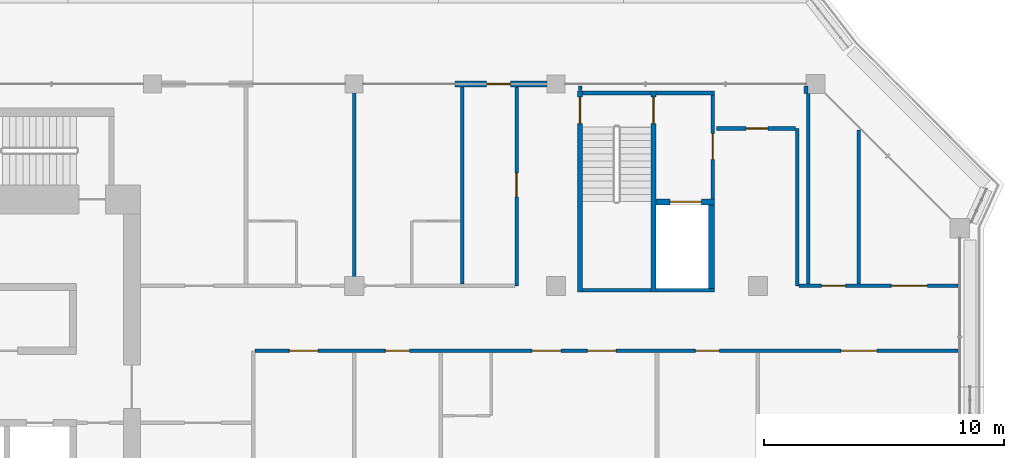
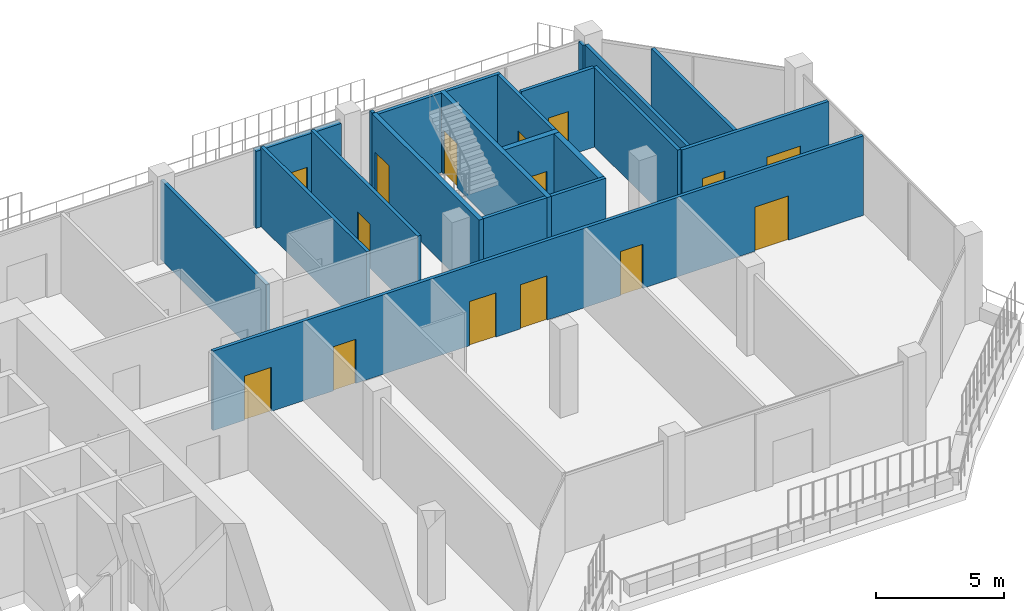
# One storey, part 12 of 20: 21 walls, 15 doors, 15 openings.
"""IFC4 building model written with IfcOpenShell, lengths in metres."""

from ifc_helpers import new_model, si_unit, direction, frame, frame_2d, origin, place, context, subcontext, project, spatial, rectangle, extrude, material, layer, layer_set, type_object, element, fill, save


model = new_model("IFC4")

# Units and contexts
model_context = context("Model", 3, precision=1e-05, world=origin(), true_north=direction((0.0, 1.0)))
body_context = subcontext(model_context, "Body", "Model", "MODEL_VIEW")
ifc_project = project(units=[si_unit("LENGTHUNIT", "METRE"), si_unit("AREAUNIT", "SQUARE_METRE"), si_unit("VOLUMEUNIT", "CUBIC_METRE"), si_unit("PLANEANGLEUNIT", "RADIAN"), si_unit("MASSUNIT", "GRAM", prefix="KILO")], contexts=[model_context])

# Site, building, storey
site_placement = place(None, origin())
site = spatial("IfcSite", under=ifc_project, at=site_placement, CompositionType="ELEMENT")
building_placement = place(site_placement, origin())
building = spatial("IfcBuilding", under=site, at=building_placement, Name="Kawkab Arch Medical Tower", CompositionType="ELEMENT")
storey_placement = place(building_placement, frame((0.0, 0.0, 328.0)))
storey = spatial("IfcBuildingStorey", under=building, at=storey_placement, Name="L76", CompositionType="ELEMENT", Elevation=328.0)

# Wall, opening, door
ifc_material_1 = material(Name="Gypsum board on steel studs", Category="steel")
ifc_layer_1 = layer(ifc_material_1, 0.14990234375)
ifc_layer_set_1 = layer_set([ifc_layer_1], Name="Gypsum board on steel studs")
wall_type_1 = type_object("IfcWallType", Name="Core room partition 150", PredefinedType="PARTITIONING", material=ifc_layer_set_1)
wall_1_placement = place(storey_placement, frame((48.52490234375, -4.77490234375, 0.0), z_axis=(0.0, 0.0, 1.0), x_axis=(0.0, 1.0, 0.0)))
wall_1 = element("IfcWall", 1, at=wall_1_placement, inside=storey, type_object=wall_type_1, Name="L76 core room partition", PredefinedType="PARTITIONING", context=body_context, shape_type="SweptSolid", body=[
    extrude(rectangle(XDim=4.324951171875, YDim=0.14990234375, at=frame_2d((2.16259765625, 0.0))), origin(), (0.0, 0.0, 1.0), 3.780029296875),
])
opening_1_placement = place(wall_1_placement, frame((1.625, 0.0, 0.0)))
opening_1 = element("IfcOpeningElement", 2, at=opening_1_placement, cuts=wall_1, Name="Opening FD", PredefinedType="OPENING", context=body_context, shape_type="SweptSolid", body=[
    extrude(rectangle(XDim=1.10009765625, YDim=2.10009765625, at=frame_2d((0.550048828125, 1.050048828125))), frame((0.0, 0.0849609375, 0.0), z_axis=(0.0, -1.0, 0.0), x_axis=(1.0, 0.0, 0.0)), (0.0, 0.0, 1.0), 0.169921875),
])
ifc_material_2 = material(Name="Hollow metal fire door leaf")
door_type_1 = type_object("IfcDoorType", Name="Firefighting lobby door 1100", OperationType="SINGLE_SWING_LEFT", PredefinedType="DOOR", material=ifc_material_2)
door_1_placement = place(opening_1_placement, origin())
door_1 = element("IfcDoor", 3, at=door_1_placement, inside=storey, type_object=door_type_1, Name="L76 Service lift lobby door SV1", OperationType="SINGLE_SWING_LEFT", OverallHeight=2.10009765625, OverallWidth=1.10009765625, PredefinedType="DOOR", context=body_context, shape_type="SweptSolid", body=[
    extrude(rectangle(XDim=1.10009765625, YDim=2.10009765625, at=frame_2d((0.550048828125, 1.050048828125))), frame((0.0, 0.02490234375, 0.0), z_axis=(0.0, -1.0, 0.0), x_axis=(1.0, 0.0, 0.0)), (0.0, 0.0, 1.0), 0.050048828125),
])
fill(opening_1, door_1)

ifc_material_3 = material(Name="Concrete C60/75", Category="concrete")
ifc_layer_2 = layer(ifc_material_3, 0.25)
ifc_layer_set_2 = layer_set([ifc_layer_2], Name="Concrete C60/75")
wall_type_2 = type_object("IfcWallType", Name="Core shear wall 250 C60/75", PredefinedType="SHEAR", material=ifc_layer_set_2)
wall_2_placement = place(storey_placement, frame((46.14990234375, -4.89990234375, 0.0), z_axis=(0.0, 0.0, 1.0), x_axis=(1.0, 0.0, 0.0)))
wall_2 = element("IfcWall", 4, at=wall_2_placement, inside=storey, type_object=wall_type_2, Name="L76 core shear wall", PredefinedType="SHEAR", context=body_context, shape_type="SweptSolid", body=[
    extrude(rectangle(XDim=2.4501953125, YDim=0.25, at=frame_2d((1.22509765625, 0.0))), origin(), (0.0, 0.0, 1.0), 3.780029296875),
])
opening_2_placement = place(wall_2_placement, frame((0.60009765625, 0.0, 0.0)))
opening_2 = element("IfcOpeningElement", 5, at=opening_2_placement, cuts=wall_2, Name="Opening LD2", PredefinedType="OPENING", context=body_context, shape_type="SweptSolid", body=[
    extrude(rectangle(XDim=1.300048828125, YDim=2.10009765625, at=frame_2d((0.64990234375, 1.050048828125))), frame((0.0, 0.135009765625, 0.0), z_axis=(0.0, -1.0, 0.0), x_axis=(1.0, 0.0, 0.0)), (0.0, 0.0, 1.0), 0.27001953125),
])
ifc_material_4 = material(Name="Stainless steel lift door leaf", Category="steel")
door_type_2 = type_object("IfcDoorType", Name="Lift landing door 1300", OperationType="DOUBLE_DOOR_SLIDING", PredefinedType="DOOR", material=ifc_material_4)
door_2_placement = place(opening_2_placement, origin())
door_2 = element("IfcDoor", 6, at=door_2_placement, inside=storey, type_object=door_type_2, Name="L76 Lift landing door SV1", OperationType="DOUBLE_DOOR_SLIDING", OverallHeight=2.10009765625, OverallWidth=1.300048828125, PredefinedType="DOOR", context=body_context, shape_type="SweptSolid", body=[
    extrude(rectangle(XDim=1.300048828125, YDim=2.10009765625, at=frame_2d((0.64990234375, 1.050048828125))), frame((0.0, 0.02490234375, 0.0), z_axis=(0.0, -1.0, 0.0), x_axis=(1.0, 0.0, 0.0)), (0.0, 0.0, 1.0), 0.050048828125),
])
fill(opening_2, door_2)

# Wall
wall_3_placement = place(storey_placement, frame((48.47509765625, -8.5, 0.0), z_axis=(0.0, 0.0, 1.0), x_axis=(0.0, 1.0, 0.0)))
element("IfcWall", 7, at=wall_3_placement, inside=storey, type_object=wall_type_2, Name="L76 core shear wall", PredefinedType="SHEAR", context=body_context, shape_type="SweptSolid", body=[
    extrude(rectangle(XDim=3.47509765625, YDim=0.25, at=frame_2d((1.737548828125, 0.0))), origin(), (0.0, 0.0, 1.0), 3.780029296875),
])

# Wall, opening, door
ifc_material_5 = material(Name="Bronze clad insulated wall panel")
ifc_layer_3 = layer(ifc_material_5, 0.25)
ifc_layer_set_3 = layer_set([ifc_layer_3], Name="Bronze clad insulated wall panel")
wall_type_3 = type_object("IfcWallType", Name="External wall bay 250", PredefinedType="SOLIDWALL", material=ifc_layer_set_3)
wall_4_placement = place(storey_placement, frame((41.625, 0.0, 0.0), z_axis=(0.0, 0.0, 1.0), x_axis=(-1.0, 0.0, 0.0)))
wall_4 = element("IfcWall", 8, at=wall_4_placement, inside=storey, type_object=wall_type_3, Name="External wall bay L76.R15.2.1", PredefinedType="SOLIDWALL", context=body_context, shape_type="SweptSolid", body=[
    extrude(rectangle(XDim=3.824951171875, YDim=0.25, at=frame_2d((1.91259765625, 0.0))), origin(), (0.0, 0.0, 1.0), 3.659912109375),
])
opening_3_placement = place(wall_4_placement, frame((1.512451171875, 0.0, 0.0)))
opening_3 = element("IfcOpeningElement", 9, at=opening_3_placement, cuts=wall_4, Name="Opening W71-702", PredefinedType="OPENING", context=body_context, shape_type="SweptSolid", body=[
    extrude(rectangle(XDim=1.0, YDim=2.10009765625, at=frame_2d((0.5, 1.050048828125))), frame((0.0, 0.135009765625, 0.0), z_axis=(0.0, -1.0, 0.0), x_axis=(1.0, 0.0, 0.0)), (0.0, 0.0, 1.0), 0.27001953125),
])
ifc_material_6 = material(Name="Bronze anodised aluminium door with tinted glass", Category="aluminium")
door_type_3 = type_object("IfcDoorType", Name="Single external door 1000 x 2100", OperationType="SINGLE_SWING_LEFT", PredefinedType="DOOR", material=ifc_material_6)
door_3_placement = place(opening_3_placement, origin())
door_3 = element("IfcDoor", 10, at=door_3_placement, inside=storey, type_object=door_type_3, Name="External door L76.R15.2.1", OperationType="SINGLE_SWING_LEFT", OverallHeight=2.10009765625, OverallWidth=1.0, PredefinedType="DOOR", context=body_context, shape_type="SweptSolid", body=[
    extrude(rectangle(XDim=1.0, YDim=2.10009765625, at=frame_2d((0.5, 1.050048828125))), frame((0.0, 0.02490234375, 0.0), z_axis=(0.0, -1.0, 0.0), x_axis=(1.0, 0.0, 0.0)), (0.0, 0.0, 1.0), 0.050048828125),
])
fill(opening_3, door_3)

# Wall, openings, doors
ifc_material_7 = material(Name="Gypsum board partition on steel studs, mineral wool", Category="steel")
ifc_layer_4 = layer(ifc_material_7, 0.14990234375)
ifc_layer_set_4 = layer_set([ifc_layer_4], Name="Gypsum board partition on steel studs, mineral wool")
wall_type_4 = type_object("IfcWallType", Name="Partition 150", PredefinedType="PARTITIONING", material=ifc_layer_set_4)
wall_5_placement = place(storey_placement, frame((29.47509765625, -11.10009765625, 0.0), z_axis=(0.0, 0.0, 1.0), x_axis=(1.0, 0.0, 0.0)))
wall_5 = element("IfcWall", 11, at=wall_5_placement, inside=storey, type_object=wall_type_4, Name="Partition 150 w014", PredefinedType="PARTITIONING", context=body_context, shape_type="SweptSolid", body=[
    extrude(rectangle(XDim=29.244873046875, YDim=0.14990234375, at=frame_2d((14.62255859375, 0.0))), origin(), (0.0, 0.0, 1.0), 3.780029296875),
])
opening_4_placement = place(wall_5_placement, frame((1.425048828125, 0.0, 0.0)))
opening_4 = element("IfcOpeningElement", 12, at=opening_4_placement, cuts=wall_5, Name="Opening W71-018", PredefinedType="OPENING", context=body_context, shape_type="SweptSolid", body=[
    extrude(rectangle(XDim=1.199951171875, YDim=2.10009765625, at=frame_2d((0.60009765625, 1.050048828125))), frame((0.0, 0.0849609375, 0.0), z_axis=(0.0, -1.0, 0.0), x_axis=(1.0, 0.0, 0.0)), (0.0, 0.0, 1.0), 0.169921875),
])
opening_5_placement = place(wall_5_placement, frame((5.425048828125, 0.0, 0.0)))
opening_5 = element("IfcOpeningElement", 13, at=opening_5_placement, cuts=wall_5, Name="Opening W71-010", PredefinedType="OPENING", context=body_context, shape_type="SweptSolid", body=[
    extrude(rectangle(XDim=1.0, YDim=2.10009765625, at=frame_2d((0.5, 1.050048828125))), frame((0.0, 0.0849609375, 0.0), z_axis=(0.0, -1.0, 0.0), x_axis=(1.0, 0.0, 0.0)), (0.0, 0.0, 1.0), 0.169921875),
])
opening_6_placement = place(wall_5_placement, frame((13.824951171875, 0.0, 0.0)))
opening_6 = element("IfcOpeningElement", 14, at=opening_6_placement, cuts=wall_5, Name="Opening W71-019", PredefinedType="OPENING", context=body_context, shape_type="SweptSolid", body=[
    extrude(rectangle(XDim=1.199951171875, YDim=2.10009765625, at=frame_2d((0.60009765625, 1.050048828125))), frame((0.0, 0.0849609375, 0.0), z_axis=(0.0, -1.0, 0.0), x_axis=(1.0, 0.0, 0.0)), (0.0, 0.0, 1.0), 0.169921875),
])
opening_7_placement = place(wall_5_placement, frame((11.52490234375, 0.0, 0.0)))
opening_7 = element("IfcOpeningElement", 15, at=opening_7_placement, cuts=wall_5, Name="Opening W71-020", PredefinedType="OPENING", context=body_context, shape_type="SweptSolid", body=[
    extrude(rectangle(XDim=1.199951171875, YDim=2.10009765625, at=frame_2d((0.60009765625, 1.050048828125))), frame((0.0, 0.0849609375, 0.0), z_axis=(0.0, -1.0, 0.0), x_axis=(1.0, 0.0, 0.0)), (0.0, 0.0, 1.0), 0.169921875),
])
opening_8_placement = place(wall_5_placement, frame((18.324951171875, 0.0, 0.0)))
opening_8 = element("IfcOpeningElement", 16, at=opening_8_placement, cuts=wall_5, Name="Opening W71-011", PredefinedType="OPENING", context=body_context, shape_type="SweptSolid", body=[
    extrude(rectangle(XDim=1.0, YDim=2.10009765625, at=frame_2d((0.5, 1.050048828125))), frame((0.0, 0.0849609375, 0.0), z_axis=(0.0, -1.0, 0.0), x_axis=(1.0, 0.0, 0.0)), (0.0, 0.0, 1.0), 0.169921875),
])
opening_9_placement = place(wall_5_placement, frame((24.375, 0.0, 0.0)))
opening_9 = element("IfcOpeningElement", 17, at=opening_9_placement, cuts=wall_5, Name="Opening W71-002", PredefinedType="OPENING", context=body_context, shape_type="SweptSolid", body=[
    extrude(rectangle(XDim=1.5, YDim=2.10009765625, at=frame_2d((0.75, 1.050048828125))), frame((0.0, 0.0849609375, 0.0), z_axis=(0.0, -1.0, 0.0), x_axis=(1.0, 0.0, 0.0)), (0.0, 0.0, 1.0), 0.169921875),
])
ifc_material_8 = material(Name="Hollow metal door leaf")
door_type_4 = type_object("IfcDoorType", Name="Double door 1500x2100 FD30S", OperationType="NOTDEFINED", PredefinedType="DOOR", material=ifc_material_8)
door_4_placement = place(opening_9_placement, origin())
door_4 = element("IfcDoor", 18, at=door_4_placement, inside=storey, type_object=door_type_4, Name="Door W71-002", OperationType="DOUBLE_DOOR_SINGLE_SWING", OverallHeight=2.10009765625, OverallWidth=1.5, PredefinedType="DOOR", context=body_context, shape_type="SweptSolid", body=[
    extrude(rectangle(XDim=1.5, YDim=2.10009765625, at=frame_2d((0.75, 1.050048828125))), frame((0.0, 0.02490234375, 0.0), z_axis=(0.0, -1.0, 0.0), x_axis=(1.0, 0.0, 0.0)), (0.0, 0.0, 1.0), 0.050048828125),
])
fill(opening_9, door_4)
ifc_material_9 = material(Name="Hollow metal door leaf")
door_type_5 = type_object("IfcDoorType", Name="Single door 1000x2100 FD30S", OperationType="NOTDEFINED", PredefinedType="DOOR", material=ifc_material_9)
door_5_placement = place(opening_5_placement, origin())
door_5 = element("IfcDoor", 19, at=door_5_placement, inside=storey, type_object=door_type_5, Name="Door W71-010", OperationType="SINGLE_SWING_RIGHT", OverallHeight=2.10009765625, OverallWidth=1.0, PredefinedType="DOOR", context=body_context, shape_type="SweptSolid", body=[
    extrude(rectangle(XDim=1.0, YDim=2.10009765625, at=frame_2d((0.5, 1.050048828125))), frame((0.0, 0.02490234375, 0.0), z_axis=(0.0, -1.0, 0.0), x_axis=(1.0, 0.0, 0.0)), (0.0, 0.0, 1.0), 0.050048828125),
])
fill(opening_5, door_5)
door_6_placement = place(opening_8_placement, origin())
door_6 = element("IfcDoor", 20, at=door_6_placement, inside=storey, type_object=door_type_5, Name="Door W71-011", OperationType="SINGLE_SWING_LEFT", OverallHeight=2.10009765625, OverallWidth=1.0, PredefinedType="DOOR", context=body_context, shape_type="SweptSolid", body=[
    extrude(rectangle(XDim=1.0, YDim=2.10009765625, at=frame_2d((0.5, 1.050048828125))), frame((0.0, 0.02490234375, 0.0), z_axis=(0.0, -1.0, 0.0), x_axis=(1.0, 0.0, 0.0)), (0.0, 0.0, 1.0), 0.050048828125),
])
fill(opening_8, door_6)
ifc_material_10 = material(Name="Hollow metal door leaf")
door_type_6 = type_object("IfcDoorType", Name="Single door 1200x2100 FD30S", OperationType="NOTDEFINED", PredefinedType="DOOR", material=ifc_material_10)
door_7_placement = place(opening_4_placement, origin())
door_7 = element("IfcDoor", 21, at=door_7_placement, inside=storey, type_object=door_type_6, Name="Door W71-018", OperationType="SINGLE_SWING_RIGHT", OverallHeight=2.10009765625, OverallWidth=1.199951171875, PredefinedType="DOOR", context=body_context, shape_type="SweptSolid", body=[
    extrude(rectangle(XDim=1.199951171875, YDim=2.10009765625, at=frame_2d((0.60009765625, 1.050048828125))), frame((0.0, 0.02490234375, 0.0), z_axis=(0.0, -1.0, 0.0), x_axis=(1.0, 0.0, 0.0)), (0.0, 0.0, 1.0), 0.050048828125),
])
fill(opening_4, door_7)
door_8_placement = place(opening_6_placement, origin())
door_8 = element("IfcDoor", 22, at=door_8_placement, inside=storey, type_object=door_type_6, Name="Door W71-019", OperationType="SINGLE_SWING_RIGHT", OverallHeight=2.10009765625, OverallWidth=1.199951171875, PredefinedType="DOOR", context=body_context, shape_type="SweptSolid", body=[
    extrude(rectangle(XDim=1.199951171875, YDim=2.10009765625, at=frame_2d((0.60009765625, 1.050048828125))), frame((0.0, 0.02490234375, 0.0), z_axis=(0.0, -1.0, 0.0), x_axis=(1.0, 0.0, 0.0)), (0.0, 0.0, 1.0), 0.050048828125),
])
fill(opening_6, door_8)
door_9_placement = place(opening_7_placement, origin())
door_9 = element("IfcDoor", 23, at=door_9_placement, inside=storey, type_object=door_type_6, Name="Door W71-020", OperationType="SINGLE_SWING_RIGHT", OverallHeight=2.10009765625, OverallWidth=1.199951171875, PredefinedType="DOOR", context=body_context, shape_type="SweptSolid", body=[
    extrude(rectangle(XDim=1.199951171875, YDim=2.10009765625, at=frame_2d((0.60009765625, 1.050048828125))), frame((0.0, 0.02490234375, 0.0), z_axis=(0.0, -1.0, 0.0), x_axis=(1.0, 0.0, 0.0)), (0.0, 0.0, 1.0), 0.050048828125),
])
fill(opening_7, door_9)

wall_6_placement = place(storey_placement, frame((52.117919921875, -8.39990234375, 0.0), z_axis=(0.0, 0.0, 1.0), x_axis=(1.0, 0.0, 0.0)))
wall_6 = element("IfcWall", 24, at=wall_6_placement, inside=storey, type_object=wall_type_4, Name="Partition 150 w017", PredefinedType="PARTITIONING", context=body_context, shape_type="SweptSolid", body=[
    extrude(rectangle(XDim=6.60205078125, YDim=0.14990234375, at=frame_2d((3.301025390625, 0.0))), origin(), (0.0, 0.0, 1.0), 3.780029296875),
])
opening_10_placement = place(wall_6_placement, frame((0.931884765625, 0.0, 0.0)))
opening_10 = element("IfcOpeningElement", 25, at=opening_10_placement, cuts=wall_6, Name="Opening W71-008", PredefinedType="OPENING", context=body_context, shape_type="SweptSolid", body=[
    extrude(rectangle(XDim=1.0, YDim=2.10009765625, at=frame_2d((0.5, 1.050048828125))), frame((0.0, 0.0849609375, 0.0), z_axis=(0.0, -1.0, 0.0), x_axis=(1.0, 0.0, 0.0)), (0.0, 0.0, 1.0), 0.169921875),
])
opening_11_placement = place(wall_6_placement, frame((3.83203125, 0.0, 0.0)))
opening_11 = element("IfcOpeningElement", 26, at=opening_11_placement, cuts=wall_6, Name="Opening W71-003", PredefinedType="OPENING", context=body_context, shape_type="SweptSolid", body=[
    extrude(rectangle(XDim=1.5, YDim=2.10009765625, at=frame_2d((0.75, 1.050048828125))), frame((0.0, 0.0849609375, 0.0), z_axis=(0.0, -1.0, 0.0), x_axis=(1.0, 0.0, 0.0)), (0.0, 0.0, 1.0), 0.169921875),
])
door_10_placement = place(opening_11_placement, origin())
door_10 = element("IfcDoor", 27, at=door_10_placement, inside=storey, type_object=door_type_4, Name="Door W71-003", OperationType="DOUBLE_DOOR_SINGLE_SWING", OverallHeight=2.10009765625, OverallWidth=1.5, PredefinedType="DOOR", context=body_context, shape_type="SweptSolid", body=[
    extrude(rectangle(XDim=1.5, YDim=2.10009765625, at=frame_2d((0.75, 1.050048828125))), frame((0.0, 0.02490234375, 0.0), z_axis=(0.0, -1.0, 0.0), x_axis=(1.0, 0.0, 0.0)), (0.0, 0.0, 1.0), 0.050048828125),
])
fill(opening_11, door_10)
ifc_material_11 = material(Name="Timber door leaf", Category="wood")
door_type_7 = type_object("IfcDoorType", Name="Single door 1000x2100", OperationType="NOTDEFINED", PredefinedType="DOOR", material=ifc_material_11)
door_11_placement = place(opening_10_placement, origin())
door_11 = element("IfcDoor", 28, at=door_11_placement, inside=storey, type_object=door_type_7, Name="Door W71-008", OperationType="SINGLE_SWING_LEFT", OverallHeight=2.10009765625, OverallWidth=1.0, PredefinedType="DOOR", context=body_context, shape_type="SweptSolid", body=[
    extrude(rectangle(XDim=1.0, YDim=2.10009765625, at=frame_2d((0.5, 1.050048828125))), frame((0.0, 0.02490234375, 0.0), z_axis=(0.0, -1.0, 0.0), x_axis=(1.0, 0.0, 0.0)), (0.0, 0.0, 1.0), 0.050048828125),
])
fill(opening_10, door_11)

# Wall, opening, door
wall_7_placement = place(storey_placement, frame((48.679931640625, -1.85009765625, 0.0), z_axis=(0.0, 0.0, 1.0), x_axis=(1.0, 0.0, 0.0)))
wall_7 = element("IfcWall", 29, at=wall_7_placement, inside=storey, type_object=wall_type_4, Name="Partition 150 w018", PredefinedType="PARTITIONING", context=body_context, shape_type="SweptSolid", body=[
    extrude(rectangle(XDim=3.2861328125, YDim=0.14990234375, at=frame_2d((1.64306640625, 0.0))), origin(), (0.0, 0.0, 1.0), 3.780029296875),
])
opening_12_placement = place(wall_7_placement, frame((1.22998046875, 0.0, 0.0)))
opening_12 = element("IfcOpeningElement", 30, at=opening_12_placement, cuts=wall_7, Name="Opening W71-007", PredefinedType="OPENING", context=body_context, shape_type="SweptSolid", body=[
    extrude(rectangle(XDim=0.89990234375, YDim=2.10009765625, at=frame_2d((0.449951171875, 1.050048828125))), frame((0.0, 0.0849609375, 0.0), z_axis=(0.0, -1.0, 0.0), x_axis=(1.0, 0.0, 0.0)), (0.0, 0.0, 1.0), 0.169921875),
])
ifc_material_12 = material(Name="Timber door leaf", Category="wood")
door_type_8 = type_object("IfcDoorType", Name="Single door 900x2100", OperationType="NOTDEFINED", PredefinedType="DOOR", material=ifc_material_12)
door_12_placement = place(opening_12_placement, origin())
door_12 = element("IfcDoor", 31, at=door_12_placement, inside=storey, type_object=door_type_8, Name="Door W71-007", OperationType="SINGLE_SWING_LEFT", OverallHeight=2.10009765625, OverallWidth=0.89990234375, PredefinedType="DOOR", context=body_context, shape_type="SweptSolid", body=[
    extrude(rectangle(XDim=0.89990234375, YDim=2.10009765625, at=frame_2d((0.449951171875, 1.050048828125))), frame((0.0, 0.02490234375, 0.0), z_axis=(0.0, -1.0, 0.0), x_axis=(1.0, 0.0, 0.0)), (0.0, 0.0, 1.0), 0.050048828125),
])
fill(opening_12, door_12)

# Walls
for number, where, z_axis, x_axis, name in (
    (32, (33.60009765625, -8.324951171875, 0.0), (0.0, 0.0, 1.0), (0.0, 1.0, 0.0), "Partition 150 w026"),
    (33, (38.10009765625, -8.324951171875, 0.0), (0.0, 0.0, 1.0), (0.0, 1.0, 0.0), "Partition 150 w028"),
):
    element("IfcWall", number, at=place(storey_placement, frame(where, z_axis=z_axis, x_axis=x_axis)), inside=storey, type_object=wall_type_4, Name=name, PredefinedType="PARTITIONING", context=body_context, shape_type="SweptSolid", body=[
        extrude(rectangle(XDim=8.244873046875, YDim=0.14990234375, at=frame_2d((4.12255859375, 0.0))), origin(), (0.0, 0.0, 1.0), 3.780029296875),
    ])

# Wall, opening, door
wall_8_placement = place(storey_placement, frame((40.35693359375, -8.39990234375, 0.0), z_axis=(0.0, 0.0, 1.0), x_axis=(0.0, 1.0, 0.0)))
wall_8 = element("IfcWall", 34, at=wall_8_placement, inside=storey, type_object=wall_type_4, Name="Partition 150 w029", PredefinedType="PARTITIONING", context=body_context, shape_type="SweptSolid", body=[
    extrude(rectangle(XDim=8.31982421875, YDim=0.14990234375, at=frame_2d((4.159912109375, 0.0))), origin(), (0.0, 0.0, 1.0), 3.780029296875),
])
opening_13_placement = place(wall_8_placement, frame((3.699951171875, 0.0, 0.0)))
opening_13 = element("IfcOpeningElement", 35, at=opening_13_placement, cuts=wall_8, Name="Opening W71-009", PredefinedType="OPENING", context=body_context, shape_type="SweptSolid", body=[
    extrude(rectangle(XDim=1.0, YDim=2.10009765625, at=frame_2d((0.5, 1.050048828125))), frame((0.0, 0.0849609375, 0.0), z_axis=(0.0, -1.0, 0.0), x_axis=(1.0, 0.0, 0.0)), (0.0, 0.0, 1.0), 0.169921875),
])
door_13_placement = place(opening_13_placement, origin())
door_13 = element("IfcDoor", 36, at=door_13_placement, inside=storey, type_object=door_type_5, Name="Door W71-009", OperationType="SINGLE_SWING_RIGHT", OverallHeight=2.10009765625, OverallWidth=1.0, PredefinedType="DOOR", context=body_context, shape_type="SweptSolid", body=[
    extrude(rectangle(XDim=1.0, YDim=2.10009765625, at=frame_2d((0.5, 1.050048828125))), frame((0.0, 0.02490234375, 0.0), z_axis=(0.0, -1.0, 0.0), x_axis=(1.0, 0.0, 0.0)), (0.0, 0.0, 1.0), 0.050048828125),
])
fill(opening_13, door_13)

# Walls
wall_9_placement = place(storey_placement, frame((43.0, -0.27001953125, 0.0), z_axis=(0.0, 0.0, 1.0), x_axis=(0.0, 1.0, 0.0)))
element("IfcWall", 37, at=wall_9_placement, inside=storey, type_object=wall_type_4, Name="Partition 150 w030", PredefinedType="PARTITIONING", context=body_context, shape_type="SweptSolid", body=[
    extrude(rectangle(XDim=0.18994140625, YDim=0.14990234375, at=frame_2d((0.094970703125, 0.0))), origin(), (0.0, 0.0, 1.0), 3.780029296875),
])
wall_10_placement = place(storey_placement, frame((52.04296875, -8.39990234375, 0.0), z_axis=(0.0, 0.0, 1.0), x_axis=(0.0, 1.0, 0.0)))
element("IfcWall", 38, at=wall_10_placement, inside=storey, type_object=wall_type_4, Name="Partition 150 w033", PredefinedType="PARTITIONING", context=body_context, shape_type="SweptSolid", body=[
    extrude(rectangle(XDim=6.5478515625, YDim=0.14990234375, at=frame_2d((3.27392578125, 0.0))), origin(), (0.0, 0.0, 1.0), 3.780029296875),
])
wall_11_placement = place(storey_placement, frame((52.39990234375, -0.39990234375, 0.0), z_axis=(0.0, 0.0, 1.0), x_axis=(0.0, 1.0, 0.0)))
element("IfcWall", 39, at=wall_11_placement, inside=storey, type_object=wall_type_4, Name="Partition 150 w034", PredefinedType="PARTITIONING", context=body_context, shape_type="SweptSolid", body=[
    extrude(rectangle(XDim=0.31982421875, YDim=0.14990234375, at=frame_2d((0.159912109375, 0.0))), origin(), (0.0, 0.0, 1.0), 3.780029296875),
])
wall_12_placement = place(storey_placement, frame((52.5, -8.324951171875, 0.0), z_axis=(0.0, 0.0, 1.0), x_axis=(0.0, 1.0, 0.0)))
element("IfcWall", 40, at=wall_12_placement, inside=storey, type_object=wall_type_4, Name="Partition 150 w035", PredefinedType="PARTITIONING", context=body_context, shape_type="SweptSolid", body=[
    extrude(rectangle(XDim=7.9228515625, YDim=0.14990234375, at=frame_2d((3.96142578125, 0.0))), origin(), (0.0, 0.0, 1.0), 3.780029296875),
])
wall_13_placement = place(storey_placement, frame((54.60009765625, -8.324951171875, 0.0), z_axis=(0.0, 0.0, 1.0), x_axis=(0.0, 1.0, 0.0)))
element("IfcWall", 41, at=wall_13_placement, inside=storey, type_object=wall_type_4, Name="Partition 150 w036", PredefinedType="PARTITIONING", context=body_context, shape_type="SweptSolid", body=[
    extrude(rectangle(XDim=6.411865234375, YDim=0.14990234375, at=frame_2d((3.2060546875, 0.0))), origin(), (0.0, 0.0, 1.0), 3.780029296875),
])
ifc_material_13 = material(Name="Concrete C50/60", Category="concrete")
ifc_layer_5 = layer(ifc_material_13, 0.14990234375)
ifc_layer_set_5 = layer_set([ifc_layer_5], Name="Concrete C50/60")
wall_type_5 = type_object("IfcWallType", Name="Stair enclosure wall 150 C50/60", PredefinedType="SHEAR", material=ifc_layer_set_5)
wall_14_placement = place(storey_placement, frame((43.10009765625, -0.375, 0.0), z_axis=(0.0, 0.0, 1.0), x_axis=(1.0, 0.0, 0.0)))
element("IfcWall", 42, at=wall_14_placement, inside=storey, type_object=wall_type_5, Name="L76 stair enclosure wall", PredefinedType="SHEAR", context=body_context, shape_type="SweptSolid", body=[
    extrude(rectangle(XDim=2.849853515625, YDim=0.14990234375, at=frame_2d((1.4248046875, 0.0))), origin(), (0.0, 0.0, 1.0), 3.780029296875),
])
wall_15_placement = place(storey_placement, frame((46.14990234375, -0.375, 0.0), z_axis=(0.0, 0.0, 1.0), x_axis=(1.0, 0.0, 0.0)))
element("IfcWall", 43, at=wall_15_placement, inside=storey, type_object=wall_type_5, Name="L76 stair enclosure wall", PredefinedType="SHEAR", context=body_context, shape_type="SweptSolid", body=[
    extrude(rectangle(XDim=2.4501953125, YDim=0.14990234375, at=frame_2d((1.22509765625, 0.0))), origin(), (0.0, 0.0, 1.0), 3.780029296875),
])
wall_16_placement = place(storey_placement, frame((43.10009765625, -8.574951171875, 0.0), z_axis=(0.0, 0.0, 1.0), x_axis=(1.0, 0.0, 0.0)))
element("IfcWall", 44, at=wall_16_placement, inside=storey, type_object=wall_type_5, Name="L76 stair enclosure wall", PredefinedType="SHEAR", context=body_context, shape_type="SweptSolid", body=[
    extrude(rectangle(XDim=2.849853515625, YDim=0.14990234375, at=frame_2d((1.4248046875, 0.0))), origin(), (0.0, 0.0, 1.0), 3.780029296875),
])
wall_17_placement = place(storey_placement, frame((46.14990234375, -8.574951171875, 0.0), z_axis=(0.0, 0.0, 1.0), x_axis=(1.0, 0.0, 0.0)))
element("IfcWall", 45, at=wall_17_placement, inside=storey, type_object=wall_type_5, Name="L76 stair enclosure wall", PredefinedType="SHEAR", context=body_context, shape_type="SweptSolid", body=[
    extrude(rectangle(XDim=2.4501953125, YDim=0.14990234375, at=frame_2d((1.22509765625, 0.0))), origin(), (0.0, 0.0, 1.0), 3.780029296875),
])

# Wall, opening, door
ifc_material_14 = material(Name="Concrete C50/60", Category="concrete")
ifc_layer_6 = layer(ifc_material_14, 0.199951171875)
ifc_layer_set_6 = layer_set([ifc_layer_6], Name="Concrete C50/60")
wall_type_6 = type_object("IfcWallType", Name="Stair enclosure wall 200 C50/60", PredefinedType="SHEAR", material=ifc_layer_set_6)
wall_18_placement = place(storey_placement, frame((43.0, -8.64990234375, 0.0), z_axis=(0.0, 0.0, 1.0), x_axis=(0.0, 1.0, 0.0)))
wall_18 = element("IfcWall", 46, at=wall_18_placement, inside=storey, type_object=wall_type_6, Name="L76 stair enclosure wall", PredefinedType="SHEAR", context=body_context, shape_type="SweptSolid", body=[
    extrude(rectangle(XDim=8.349853515625, YDim=0.199951171875, at=frame_2d((4.1748046875, 0.0))), origin(), (0.0, 0.0, 1.0), 3.780029296875),
])
opening_14_placement = place(wall_18_placement, frame((7.0, 0.0, 0.0)))
opening_14 = element("IfcOpeningElement", 47, at=opening_14_placement, cuts=wall_18, Name="Opening SD", PredefinedType="OPENING", context=body_context, shape_type="SweptSolid", body=[
    extrude(rectangle(XDim=1.10009765625, YDim=2.10009765625, at=frame_2d((0.550048828125, 1.050048828125))), frame((0.0, 0.10986328125, 0.0), z_axis=(0.0, -1.0, 0.0), x_axis=(1.0, 0.0, 0.0)), (0.0, 0.0, 1.0), 0.219970703125),
])
ifc_material_15 = material(Name="Hollow metal fire door leaf")
door_type_9 = type_object("IfcDoorType", Name="Exit stair door 1100", OperationType="SINGLE_SWING_LEFT", PredefinedType="DOOR", material=ifc_material_15)
door_14_placement = place(opening_14_placement, frame((1.10009765625, 0.0, 0.0), z_axis=(0.0, 0.0, 1.0), x_axis=(-1.0, 0.0, 0.0)))
door_14 = element("IfcDoor", 48, at=door_14_placement, inside=storey, type_object=door_type_9, Name="L76 Exit stair ST5 door", OperationType="SINGLE_SWING_LEFT", OverallHeight=2.10009765625, OverallWidth=1.10009765625, PredefinedType="DOOR", context=body_context, shape_type="SweptSolid", body=[
    extrude(rectangle(XDim=1.10009765625, YDim=2.10009765625, at=frame_2d((0.550048828125, 1.050048828125))), frame((0.0, 0.02490234375, 0.0), z_axis=(0.0, -1.0, 0.0), x_axis=(1.0, 0.0, 0.0)), (0.0, 0.0, 1.0), 0.050048828125),
])
fill(opening_14, door_14)

wall_19_placement = place(storey_placement, frame((46.050048828125, -8.64990234375, 0.0), z_axis=(0.0, 0.0, 1.0), x_axis=(0.0, 1.0, 0.0)))
wall_19 = element("IfcWall", 49, at=wall_19_placement, inside=storey, type_object=wall_type_6, Name="L76 stair enclosure wall", PredefinedType="SHEAR", context=body_context, shape_type="SweptSolid", body=[
    extrude(rectangle(XDim=8.349853515625, YDim=0.199951171875, at=frame_2d((4.1748046875, 0.0))), origin(), (0.0, 0.0, 1.0), 3.780029296875),
])
opening_15_placement = place(wall_19_placement, frame((7.0, 0.0, 0.0)))
opening_15 = element("IfcOpeningElement", 50, at=opening_15_placement, cuts=wall_19, Name="Opening SD", PredefinedType="OPENING", context=body_context, shape_type="SweptSolid", body=[
    extrude(rectangle(XDim=1.10009765625, YDim=2.10009765625, at=frame_2d((0.550048828125, 1.050048828125))), frame((0.0, 0.10986328125, 0.0), z_axis=(0.0, -1.0, 0.0), x_axis=(1.0, 0.0, 0.0)), (0.0, 0.0, 1.0), 0.219970703125),
])
door_15_placement = place(opening_15_placement, origin())
door_15 = element("IfcDoor", 51, at=door_15_placement, inside=storey, type_object=door_type_9, Name="L76 Exit stair ST5 lobby door", OperationType="SINGLE_SWING_LEFT", OverallHeight=2.10009765625, OverallWidth=1.10009765625, PredefinedType="DOOR", context=body_context, shape_type="SweptSolid", body=[
    extrude(rectangle(XDim=1.10009765625, YDim=2.10009765625, at=frame_2d((0.550048828125, 1.050048828125))), frame((0.0, 0.02490234375, 0.0), z_axis=(0.0, -1.0, 0.0), x_axis=(1.0, 0.0, 0.0)), (0.0, 0.0, 1.0), 0.050048828125),
])
fill(opening_15, door_15)

save(model, "model.ifc")
